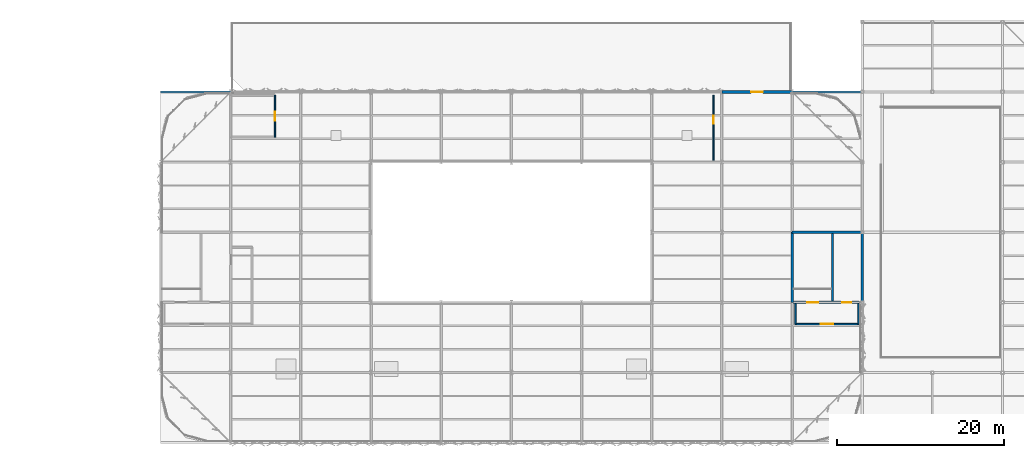
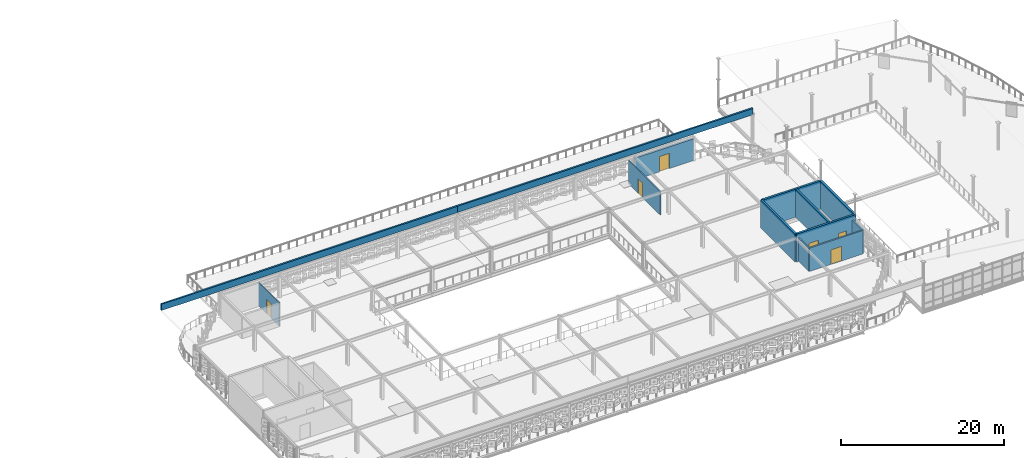
# One storey, part 51 of 65: 13 walls, 6 doors, 6 openings.
"""IFC4 building model written with IfcOpenShell, lengths in metres."""

from ifc_helpers import new_model, si_unit, direction, frame, frame_2d, origin, place, context, subcontext, project, spatial, rectangle, extrude, material, layer, layer_set, type_object, element, fill, save


model = new_model("IFC4")

# Units and contexts
model_context = context("Model", 3, precision=1e-05, world=origin(), true_north=direction((0.0, 1.0)))
body_context = subcontext(model_context, "Body", "Model", "MODEL_VIEW")
ifc_project = project(units=[si_unit("LENGTHUNIT", "METRE"), si_unit("AREAUNIT", "SQUARE_METRE"), si_unit("VOLUMEUNIT", "CUBIC_METRE"), si_unit("PLANEANGLEUNIT", "RADIAN"), si_unit("MASSUNIT", "GRAM", prefix="KILO")], contexts=[model_context])

# Site, building, storey
site_placement = place(None, origin())
site = spatial("IfcSite", under=ifc_project, at=site_placement, CompositionType="ELEMENT")
building_placement = place(site_placement, origin())
building = spatial("IfcBuilding", under=site, at=building_placement, Name="Qalvenar Corner Mobility Hub", CompositionType="ELEMENT")
storey_placement = place(building_placement, frame((0.0, 0.0, 17.39990234375)))
storey = spatial("IfcBuildingStorey", under=building, at=storey_placement, Name="L04", CompositionType="ELEMENT", Elevation=17.39990234375)

# Wall
ifc_material_1 = material(Name="Concrete C40/50", Category="concrete")
ifc_layer_1 = layer(ifc_material_1, 0.25)
ifc_layer_set_1 = layer_set([ifc_layer_1], Name="Concrete C40/50")
wall_type_1 = type_object("IfcWallType", Name="WL-CORE250", PredefinedType="SHEAR", material=ifc_layer_set_1)
wall_1_placement = place(storey_placement, frame((139.25, 84.14990234375, 0.0), z_axis=(0.0, 0.0, 1.0), x_axis=(0.0, 1.0, 0.0)))
element("IfcWall", 1, at=wall_1_placement, inside=storey, type_object=wall_type_1, Name="Core Divider Wall C4-L04", PredefinedType="SHEAR", context=body_context, shape_type="SweptSolid", body=[
    extrude(rectangle(XDim=8.10009765625, YDim=0.25, at=frame_2d((4.050048828125, 0.0))), origin(), (0.0, 0.0, 1.0), 4.2001953125),
])

# Wall, openings, doors
ifc_layer_2 = layer(ifc_material_1, 0.300048828125)
ifc_layer_set_2 = layer_set([ifc_layer_2], Name="Concrete C40/50")
wall_type_2 = type_object("IfcWallType", Name="WL-CORE300", PredefinedType="SHEAR", material=ifc_layer_set_2)
wall_2_placement = place(storey_placement, frame((134.39990234375, 84.0, 0.0), z_axis=(0.0, 0.0, 1.0), x_axis=(1.0, 0.0, 0.0)))
wall_2 = element("IfcWall", 2, at=wall_2_placement, inside=storey, type_object=wall_type_2, Name="Core Shear Wall C4-L04-S", PredefinedType="SHEAR", context=body_context, shape_type="SweptSolid", body=[
    extrude(rectangle(XDim=8.400146484375, YDim=0.300048828125, at=frame_2d((4.2001953125, 0.0))), origin(), (0.0, 0.0, 1.0), 4.2001953125),
])
opening_1_placement = place(wall_2_placement, frame((1.800048828125, 0.0, 0.0)))
opening_1 = element("IfcOpeningElement", 3, at=opening_1_placement, cuts=wall_2, Name="Opening DR-238", PredefinedType="OPENING", context=body_context, shape_type="SweptSolid", body=[
    extrude(rectangle(XDim=1.35009765625, YDim=2.199951171875, at=frame_2d((0.675048828125, 1.10009765625))), frame((0.0, 0.16015625, 0.0), z_axis=(0.0, -1.0, 0.0), x_axis=(1.0, 0.0, 0.0)), (0.0, 0.0, 1.0), 0.320068359375),
])
opening_2_placement = place(wall_2_placement, frame((6.0, 0.0, 0.0)))
opening_2 = element("IfcOpeningElement", 4, at=opening_2_placement, cuts=wall_2, Name="Opening DR-239", PredefinedType="OPENING", context=body_context, shape_type="SweptSolid", body=[
    extrude(rectangle(XDim=1.10009765625, YDim=2.199951171875, at=frame_2d((0.550048828125, 1.10009765625))), frame((0.0, 0.16015625, 0.0), z_axis=(0.0, -1.0, 0.0), x_axis=(1.0, 0.0, 0.0)), (0.0, 0.0, 1.0), 0.320068359375),
])
ifc_material_2 = material(Name="Stainless Steel Lift Landing Door", Category="steel")
door_type_1 = type_object("IfcDoorType", Name="DR-LIFT-110", OperationType="SLIDING_TO_LEFT", PredefinedType="DOOR", material=ifc_material_2)
door_1_placement = place(opening_2_placement, origin())
door_1 = element("IfcDoor", 5, at=door_1_placement, inside=storey, type_object=door_type_1, Name="DR-239 Lift Landing Door LP4-L04", OperationType="SLIDING_TO_LEFT", OverallHeight=2.199951171875, OverallWidth=1.10009765625, PredefinedType="DOOR", context=body_context, shape_type="SweptSolid", body=[
    extrude(rectangle(XDim=1.10009765625, YDim=2.199951171875, at=frame_2d((0.550048828125, 1.10009765625))), frame((0.0, 0.02490234375, 0.0), z_axis=(0.0, -1.0, 0.0), x_axis=(1.0, 0.0, 0.0)), (0.0, 0.0, 1.0), 0.050048828125),
])
fill(opening_2, door_1)
ifc_material_3 = material(Name="Fire-Rated Steel Stair Door FD90", Category="steel")
door_type_2 = type_object("IfcDoorType", Name="DR-STAIR-135", OperationType="NOTDEFINED", PredefinedType="DOOR", material=ifc_material_3)
door_2_placement = place(opening_1_placement, origin())
door_2 = element("IfcDoor", 6, at=door_2_placement, inside=storey, type_object=door_type_2, Name="DR-238 Stair Fire Door ST4-L04", OperationType="SINGLE_SWING_RIGHT", OverallHeight=2.199951171875, OverallWidth=1.35009765625, PredefinedType="DOOR", context=body_context, shape_type="SweptSolid", body=[
    extrude(rectangle(XDim=1.35009765625, YDim=2.199951171875, at=frame_2d((0.675048828125, 1.10009765625))), frame((0.0, 0.02490234375, 0.0), z_axis=(0.0, -1.0, 0.0), x_axis=(1.0, 0.0, 0.0)), (0.0, 0.0, 1.0), 0.050048828125),
])
fill(opening_1, door_2)

# Walls
wall_3_placement = place(storey_placement, frame((142.800048828125, 84.0, 0.0), z_axis=(0.0, 0.0, 1.0), x_axis=(0.0, 1.0, 0.0)))
element("IfcWall", 7, at=wall_3_placement, inside=storey, type_object=wall_type_2, Name="Core Shear Wall C4-L04-E", PredefinedType="SHEAR", context=body_context, shape_type="SweptSolid", body=[
    extrude(rectangle(XDim=8.39990234375, YDim=0.300048828125, at=frame_2d((4.199951171875, 0.0))), origin(), (0.0, 0.0, 1.0), 4.2001953125),
])
wall_4_placement = place(storey_placement, frame((142.800048828125, 92.39990234375, 0.0), z_axis=(0.0, 0.0, 1.0), x_axis=(-1.0, 0.0, 0.0)))
element("IfcWall", 8, at=wall_4_placement, inside=storey, type_object=wall_type_2, Name="Core Shear Wall C4-L04-N", PredefinedType="SHEAR", context=body_context, shape_type="SweptSolid", body=[
    extrude(rectangle(XDim=8.400146484375, YDim=0.300048828125, at=frame_2d((4.2001953125, 0.0))), origin(), (0.0, 0.0, 1.0), 4.2001953125),
])
wall_5_placement = place(storey_placement, frame((134.39990234375, 92.39990234375, 0.0), z_axis=(0.0, 0.0, 1.0), x_axis=(0.0, -1.0, 0.0)))
element("IfcWall", 9, at=wall_5_placement, inside=storey, type_object=wall_type_2, Name="Core Shear Wall C4-L04-W", PredefinedType="SHEAR", context=body_context, shape_type="SweptSolid", body=[
    extrude(rectangle(XDim=8.39990234375, YDim=0.300048828125, at=frame_2d((4.199951171875, 0.0))), origin(), (0.0, 0.0, 1.0), 4.2001953125),
])

# Wall, opening, door
ifc_material_4 = material(Name="Red Sandstone Ashlar Masonry", Category="masonry")
ifc_layer_3 = layer(ifc_material_4, 0.320068359375)
ifc_layer_set_3 = layer_set([ifc_layer_3], Name="Red Sandstone Ashlar Masonry")
wall_type_3 = type_object("IfcWallType", Name="WL-EXT-SAND320", PredefinedType="STANDARD", material=ifc_layer_set_3)
wall_6_placement = place(storey_placement, frame((134.39990234375, 109.199951171875, 0.0), z_axis=(0.0, 0.0, 1.0), x_axis=(-1.0, 0.0, 0.0)))
wall_6 = element("IfcWall", 10, at=wall_6_placement, inside=storey, type_object=wall_type_3, Name="Exterior Facade Wall EW-V4-TER-L04", PredefinedType="STANDARD", context=body_context, shape_type="SweptSolid", body=[
    extrude(rectangle(XDim=8.39990234375, YDim=0.320068359375, at=frame_2d((4.199951171875, 0.0))), origin(), (0.0, 0.0, 1.0), 3.260009765625),
])
opening_3_placement = place(wall_6_placement, frame((3.5, 0.0, 0.0)))
opening_3 = element("IfcOpeningElement", 11, at=opening_3_placement, cuts=wall_6, Name="Opening DR-226", PredefinedType="OPENING", context=body_context, shape_type="SweptSolid", body=[
    extrude(rectangle(XDim=1.39990234375, YDim=2.300048828125, at=frame_2d((0.699951171875, 1.14990234375))), frame((0.0, 0.169921875, 0.0), z_axis=(0.0, -1.0, 0.0), x_axis=(1.0, 0.0, 0.0)), (0.0, 0.0, 1.0), 0.340087890625),
])
ifc_material_5 = material(Name="Glazed Terrace Access Door", Category="aluminium")
door_type_3 = type_object("IfcDoorType", Name="DR-EXT-TER140", OperationType="DOUBLE_DOOR_SINGLE_SWING", PredefinedType="DOOR", material=ifc_material_5)
door_3_placement = place(opening_3_placement, origin())
door_3 = element("IfcDoor", 12, at=door_3_placement, inside=storey, type_object=door_type_3, Name="DR-226 Fourth Floor EV Terrace Door", OperationType="DOUBLE_DOOR_SINGLE_SWING", OverallHeight=2.300048828125, OverallWidth=1.39990234375, PredefinedType="DOOR", context=body_context, shape_type="SweptSolid", body=[
    extrude(rectangle(XDim=1.39990234375, YDim=2.300048828125, at=frame_2d((0.699951171875, 1.14990234375))), frame((0.0, 0.02490234375, 0.0), z_axis=(0.0, -1.0, 0.0), x_axis=(1.0, 0.0, 0.0)), (0.0, 0.0, 1.0), 0.050048828125),
])
fill(opening_3, door_3)

ifc_material_6 = material(Name="Acoustic Gypsum Stud Partition", Category="masonry")
ifc_layer_4 = layer(ifc_material_6, 0.139892578125)
ifc_layer_set_4 = layer_set([ifc_layer_4], Name="Acoustic Gypsum Stud Partition")
wall_type_4 = type_object("IfcWallType", Name="WL-INT140", PredefinedType="PARTITIONING", material=ifc_layer_set_4)
wall_7_placement = place(storey_placement, frame((125.0, 101.0, 0.0), z_axis=(0.0, 0.0, 1.0), x_axis=(0.0, 1.0, 0.0)))
wall_7 = element("IfcWall", 13, at=wall_7_placement, inside=storey, type_object=wall_type_4, Name="Interior Partition PRT-L04-026", PredefinedType="PARTITIONING", context=body_context, shape_type="SweptSolid", body=[
    extrude(rectangle(XDim=7.800048828125, YDim=0.139892578125, at=frame_2d((3.89990234375, 0.0))), origin(), (0.0, 0.0, 1.0), 3.5),
])
opening_4_placement = place(wall_7_placement, frame((4.3701171875, 0.0, 0.0)))
opening_4 = element("IfcOpeningElement", 14, at=opening_4_placement, cuts=wall_7, Name="Opening DR-253", PredefinedType="OPENING", context=body_context, shape_type="SweptSolid", body=[
    extrude(rectangle(XDim=1.0, YDim=2.14990234375, at=frame_2d((0.5, 1.074951171875))), frame((0.0, 0.080078125, 0.0), z_axis=(0.0, -1.0, 0.0), x_axis=(1.0, 0.0, 0.0)), (0.0, 0.0, 1.0), 0.159912109375),
])
ifc_material_7 = material(Name="Hardwood Teak Office Door FD30", Category="wood")
door_type_4 = type_object("IfcDoorType", Name="DR-INT-OFF100", OperationType="NOTDEFINED", PredefinedType="DOOR", material=ifc_material_7)
door_4_placement = place(opening_4_placement, origin())
door_4 = element("IfcDoor", 15, at=door_4_placement, inside=storey, type_object=door_type_4, Name="DR-253 North Roof Terrace Commuter Lounge Door", OperationType="SINGLE_SWING_RIGHT", OverallHeight=2.14990234375, OverallWidth=1.0, PredefinedType="DOOR", context=body_context, shape_type="SweptSolid", body=[
    extrude(rectangle(XDim=1.0, YDim=2.14990234375, at=frame_2d((0.5, 1.074951171875))), frame((0.0, 0.02490234375, 0.0), z_axis=(0.0, -1.0, 0.0), x_axis=(1.0, 0.0, 0.0)), (0.0, 0.0, 1.0), 0.050048828125),
])
fill(opening_4, door_4)

# Walls
ifc_material_8 = material(Name="Concrete Blockwork Masonry", Category="masonry")
ifc_layer_5 = layer(ifc_material_8, 0.199951171875)
ifc_layer_set_5 = layer_set([ifc_layer_5], Name="Concrete Blockwork Masonry")
wall_type_5 = type_object("IfcWallType", Name="WL-LOBBY200", PredefinedType="PARTITIONING", material=ifc_layer_set_5)
for number, where, z_axis, x_axis, name in (
    (16, (134.800048828125, 81.39990234375, 0.0), (0.0, 0.0, 1.0), (0.0, 1.0, 0.0), "Interior Partition WL-LOB-C4-L04-W"),
    (17, (142.39990234375, 81.39990234375, 0.0), (0.0, 0.0, 1.0), (0.0, 1.0, 0.0), "Interior Partition WL-LOB-C4-L04-E"),
):
    element("IfcWall", number, at=place(storey_placement, frame(where, z_axis=z_axis, x_axis=x_axis)), inside=storey, type_object=wall_type_5, Name=name, PredefinedType="PARTITIONING", context=body_context, shape_type="SweptSolid", body=[
        extrude(rectangle(XDim=2.4501953125, YDim=0.199951171875, at=frame_2d((1.22509765625, 0.0))), origin(), (0.0, 0.0, 1.0), 3.52001953125),
    ])

# Wall, opening, door
wall_8_placement = place(storey_placement, frame((134.800048828125, 81.39990234375, 0.0), z_axis=(0.0, 0.0, 1.0), x_axis=(1.0, 0.0, 0.0)))
wall_8 = element("IfcWall", 18, at=wall_8_placement, inside=storey, type_object=wall_type_5, Name="Interior Partition WL-LOB-C4-L04-S", PredefinedType="PARTITIONING", context=body_context, shape_type="SweptSolid", body=[
    extrude(rectangle(XDim=7.599853515625, YDim=0.199951171875, at=frame_2d((3.7998046875, 0.0))), origin(), (0.0, 0.0, 1.0), 3.52001953125),
])
opening_5_placement = place(wall_8_placement, frame((3.050048828125, 0.0, 0.0)))
opening_5 = element("IfcOpeningElement", 19, at=opening_5_placement, cuts=wall_8, Name="Opening DR-240", PredefinedType="OPENING", context=body_context, shape_type="SweptSolid", body=[
    extrude(rectangle(XDim=1.5, YDim=2.199951171875, at=frame_2d((0.75, 1.10009765625))), frame((0.0, 0.10986328125, 0.0), z_axis=(0.0, -1.0, 0.0), x_axis=(1.0, 0.0, 0.0)), (0.0, 0.0, 1.0), 0.219970703125),
])
ifc_material_9 = material(Name="Firefighting Lobby Smoke-Control Door FD60", Category="steel")
door_type_5 = type_object("IfcDoorType", Name="DR-FFLOB-150", OperationType="DOUBLE_DOOR_SINGLE_SWING", PredefinedType="DOOR", material=ifc_material_9)
door_5_placement = place(opening_5_placement, origin())
door_5 = element("IfcDoor", 20, at=door_5_placement, inside=storey, type_object=door_type_5, Name="DR-240 Lift Lobby Smoke Door C4-L04", OperationType="DOUBLE_DOOR_SINGLE_SWING", OverallHeight=2.199951171875, OverallWidth=1.5, PredefinedType="DOOR", context=body_context, shape_type="SweptSolid", body=[
    extrude(rectangle(XDim=1.5, YDim=2.199951171875, at=frame_2d((0.75, 1.10009765625))), frame((0.0, 0.02490234375, 0.0), z_axis=(0.0, -1.0, 0.0), x_axis=(1.0, 0.0, 0.0)), (0.0, 0.0, 1.0), 0.050048828125),
])
fill(opening_5, door_5)

# Walls
ifc_material_10 = material(Name="Red Sandstone Parapet Masonry", Category="masonry")
ifc_layer_6 = layer(ifc_material_10, 0.239990234375)
ifc_layer_set_6 = layer_set([ifc_layer_6], Name="Red Sandstone Parapet Masonry")
wall_type_6 = type_object("IfcWallType", Name="WL-PAR240", PredefinedType="PARAPET", material=ifc_layer_set_6)
for number, where, z_axis, x_axis, name in (
    (21, (58.800048828125, 109.199951171875, 3.900146484375), (0.0, 0.0, 1.0), (1.0, 0.0, 0.0), "Roof Parapet Wall PW-03"),
    (22, (100.800048828125, 109.199951171875, 3.900146484375), (0.0, 0.0, 1.0), (1.0, 0.0, 0.0), "Roof Parapet Wall PW-04"),
):
    element("IfcWall", number, at=place(storey_placement, frame(where, z_axis=z_axis, x_axis=x_axis)), inside=storey, type_object=wall_type_6, Name=name, PredefinedType="PARAPET", context=body_context, shape_type="SweptSolid", body=[
        extrude(rectangle(XDim=42.0, YDim=0.239990234375, at=frame_2d((21.0, 0.0))), origin(), (0.0, 0.0, 1.0), 0.949951171875),
    ])

# Wall, opening, door
ifc_material_11 = material(Name="Ceramic-Tiled Moisture-Resistant Partition", Category="masonry")
ifc_layer_7 = layer(ifc_material_11, 0.14990234375)
ifc_layer_set_7 = layer_set([ifc_layer_7], Name="Ceramic-Tiled Moisture-Resistant Partition")
wall_type_7 = type_object("IfcWallType", Name="WL-WET150", PredefinedType="PARTITIONING", material=ifc_layer_set_7)
wall_9_placement = place(storey_placement, frame((72.5, 103.800048828125, 0.0), z_axis=(0.0, 0.0, 1.0), x_axis=(0.0, 1.0, 0.0)))
wall_9 = element("IfcWall", 23, at=wall_9_placement, inside=storey, type_object=wall_type_7, Name="Interior Partition PRT-L04-025", PredefinedType="PARTITIONING", context=body_context, shape_type="SweptSolid", body=[
    extrude(rectangle(XDim=5.0, YDim=0.14990234375, at=frame_2d((2.5, 0.0))), origin(), (0.0, 0.0, 1.0), 3.5),
])
opening_6_placement = place(wall_9_placement, frame((1.97509765625, 0.0, 0.0)))
opening_6 = element("IfcOpeningElement", 24, at=opening_6_placement, cuts=wall_9, Name="Opening DR-252", PredefinedType="OPENING", context=body_context, shape_type="SweptSolid", body=[
    extrude(rectangle(XDim=1.050048828125, YDim=2.14990234375, at=frame_2d((0.52490234375, 1.074951171875))), frame((0.0, 0.0849609375, 0.0), z_axis=(0.0, -1.0, 0.0), x_axis=(1.0, 0.0, 0.0)), (0.0, 0.0, 1.0), 0.169921875),
])
ifc_material_12 = material(Name="Accessible Wheelchair WC Door", Category="wood")
door_type_6 = type_object("IfcDoorType", Name="DR-INT-AWC105", OperationType="NOTDEFINED", PredefinedType="DOOR", material=ifc_material_12)
door_6_placement = place(opening_6_placement, origin())
door_6 = element("IfcDoor", 25, at=door_6_placement, inside=storey, type_object=door_type_6, Name="DR-252 Fourth Floor Deck Accessible WC Door", OperationType="SINGLE_SWING_LEFT", OverallHeight=2.14990234375, OverallWidth=1.050048828125, PredefinedType="DOOR", context=body_context, shape_type="SweptSolid", body=[
    extrude(rectangle(XDim=1.050048828125, YDim=2.14990234375, at=frame_2d((0.52490234375, 1.074951171875))), frame((0.0, 0.02490234375, 0.0), z_axis=(0.0, -1.0, 0.0), x_axis=(1.0, 0.0, 0.0)), (0.0, 0.0, 1.0), 0.050048828125),
])
fill(opening_6, door_6)

save(model, "model.ifc")
